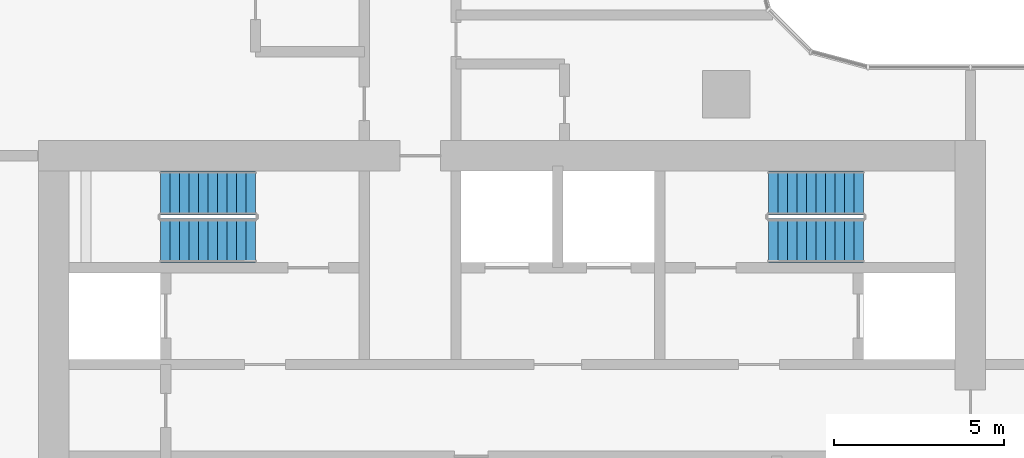
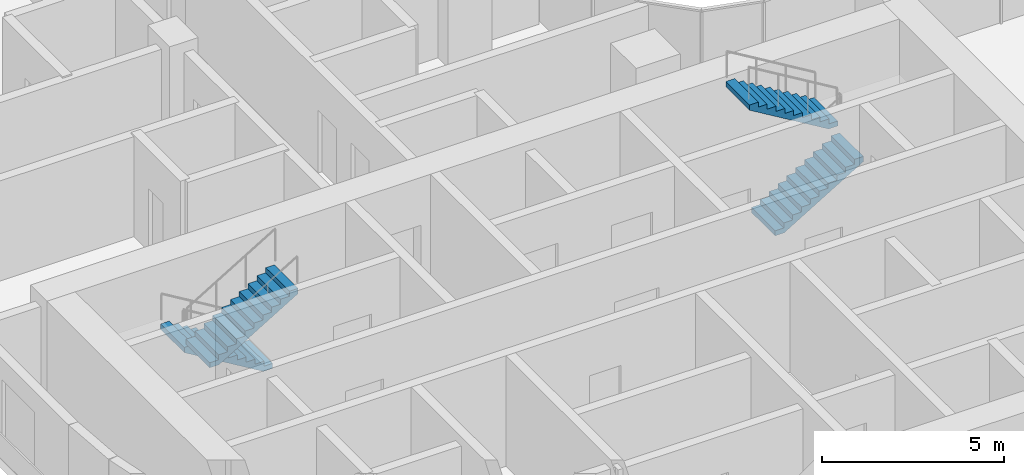
# One storey, part 25 of 34: 4 stair flights, 2 elements without a shape of their own.
"""IFC4 building model written with IfcOpenShell, lengths in metres."""

from ifc_helpers import new_model, si_unit, direction, frame, origin, place, context, subcontext, project, spatial, triangles, source, transform, mapped, material, type_object, element, aggregate, save


model = new_model("IFC4")

# Units and contexts
model_context = context("Model", 3, precision=1e-05, world=origin(), true_north=direction((0.0, 1.0)))
body_context = subcontext(model_context, "Body", "Model", "MODEL_VIEW")
ifc_project = project(units=[si_unit("LENGTHUNIT", "METRE"), si_unit("AREAUNIT", "SQUARE_METRE"), si_unit("VOLUMEUNIT", "CUBIC_METRE"), si_unit("PLANEANGLEUNIT", "RADIAN"), si_unit("MASSUNIT", "GRAM", prefix="KILO")], contexts=[model_context])

# Site, building, storey
site_placement = place(None, origin())
site = spatial("IfcSite", under=ifc_project, at=site_placement, CompositionType="ELEMENT")
building_placement = place(site_placement, origin())
building = spatial("IfcBuilding", under=site, at=building_placement, Name="Ogive Portal Towers", CompositionType="ELEMENT")
storey_placement = place(building_placement, frame((0.0, 0.0, 66.800048828125)))
storey = spatial("IfcBuildingStorey", under=building, at=storey_placement, Name="L15", CompositionType="ELEMENT", Elevation=66.800048828125)

# Stair, stair flights
ifc_material = material(Name="Concrete C40/50", Category="concrete")
stair_type = type_object("IfcStairType", Name="INT-STAIR", PredefinedType="HALF_TURN_STAIR", material=ifc_material)
stair_1_placement = place(storey_placement, origin())
stair_1 = element("IfcStair", 1, at=stair_1_placement, inside=storey, type_object=stair_type, Name="L15 Exit Stair ST-A1", PredefinedType="HALF_TURN_STAIR")
stair_flight_type = type_object("IfcStairFlightType", Name="INT-FLIGHT", PredefinedType="STRAIGHT", material=ifc_material)
shared_shape = source(origin(), body_context, "Body", "Tessellation", [
    triangles([(0.0, -0.650146484375, 0.0), (0.0, -0.376220703125, 0.0), (0.0, -0.192626953125, 0.0), (0.0, -0.081298828125, 0.0), (0.0, -0.024169921875, 0.0), (0.0, -0.003173828125, 0.0), (0.0, 0.0, 0.0), (0.0, 0.0029296875, 0.0), (0.0, 0.02392578125, 0.0), (0.0, 0.0810546875, 0.0), (0.0, 0.1923828125, 0.0), (0.0, 0.3759765625, 0.0), (0.0, 0.64990234375, 0.0), (0.0, -0.650146484375, 0.168212890625), (0.0, -0.376220703125, 0.168212890625), (0.0, -0.192626953125, 0.168212890625), (0.0, -0.081298828125, 0.168212890625), (0.0, -0.024169921875, 0.168212890625), (0.0, -0.003173828125, 0.168212890625), (0.0, 0.0, 0.168212890625), (0.0, 0.0029296875, 0.168212890625), (0.0, 0.02392578125, 0.168212890625), (0.0, 0.0810546875, 0.168212890625), (0.0, 0.1923828125, 0.168212890625), (0.0, 0.3759765625, 0.168212890625), (0.0, 0.64990234375, 0.168212890625), (0.280029296875, -0.650146484375, 0.168212890625), (0.280029296875, -0.376220703125, 0.168212890625), (0.280029296875, -0.192626953125, 0.168212890625), (0.280029296875, -0.081298828125, 0.168212890625), (0.280029296875, -0.024169921875, 0.168212890625), (0.280029296875, -0.003173828125, 0.168212890625), (0.280029296875, 0.0, 0.168212890625), (0.280029296875, 0.0029296875, 0.168212890625), (0.280029296875, 0.02392578125, 0.168212890625), (0.280029296875, 0.0810546875, 0.168212890625), (0.280029296875, 0.1923828125, 0.168212890625), (0.280029296875, 0.3759765625, 0.168212890625), (0.280029296875, 0.64990234375, 0.168212890625), (0.280029296875, -0.650146484375, 0.33642578125), (0.280029296875, -0.376220703125, 0.33642578125), (0.280029296875, -0.192626953125, 0.33642578125), (0.280029296875, -0.081298828125, 0.33642578125), (0.280029296875, -0.024169921875, 0.33642578125), (0.280029296875, -0.003173828125, 0.33642578125), (0.280029296875, 0.0, 0.33642578125), (0.280029296875, 0.0029296875, 0.33642578125), (0.280029296875, 0.02392578125, 0.33642578125), (0.280029296875, 0.0810546875, 0.33642578125), (0.280029296875, 0.1923828125, 0.33642578125), (0.280029296875, 0.3759765625, 0.33642578125), (0.280029296875, 0.64990234375, 0.33642578125), (0.56005859375, -0.650146484375, 0.33642578125), (0.56005859375, -0.376220703125, 0.33642578125), (0.56005859375, -0.192626953125, 0.33642578125), (0.56005859375, -0.081298828125, 0.33642578125), (0.56005859375, -0.024169921875, 0.33642578125), (0.56005859375, -0.003173828125, 0.33642578125), (0.56005859375, 0.0, 0.33642578125), (0.56005859375, 0.0029296875, 0.33642578125), (0.56005859375, 0.02392578125, 0.33642578125), (0.56005859375, 0.0810546875, 0.33642578125), (0.56005859375, 0.1923828125, 0.33642578125), (0.56005859375, 0.3759765625, 0.33642578125), (0.56005859375, 0.64990234375, 0.33642578125), (0.56005859375, -0.650146484375, 0.504638671875), (0.56005859375, -0.376220703125, 0.504638671875), (0.56005859375, -0.192626953125, 0.504638671875), (0.56005859375, -0.081298828125, 0.504638671875), (0.56005859375, -0.024169921875, 0.504638671875), (0.56005859375, -0.003173828125, 0.504638671875), (0.56005859375, 0.0, 0.504638671875), (0.56005859375, 0.0029296875, 0.504638671875), (0.56005859375, 0.02392578125, 0.504638671875), (0.56005859375, 0.0810546875, 0.504638671875), (0.56005859375, 0.1923828125, 0.504638671875), (0.56005859375, 0.3759765625, 0.504638671875), (0.56005859375, 0.64990234375, 0.504638671875), (0.840087890625, -0.650146484375, 0.504638671875), (0.840087890625, -0.376220703125, 0.504638671875), (0.840087890625, -0.192626953125, 0.504638671875), (0.840087890625, -0.081298828125, 0.504638671875), (0.840087890625, -0.024169921875, 0.504638671875), (0.840087890625, -0.003173828125, 0.504638671875), (0.840087890625, 0.0, 0.504638671875), (0.840087890625, 0.0029296875, 0.504638671875), (0.840087890625, 0.02392578125, 0.504638671875), (0.840087890625, 0.0810546875, 0.504638671875), (0.840087890625, 0.1923828125, 0.504638671875), (0.840087890625, 0.3759765625, 0.504638671875), (0.840087890625, 0.64990234375, 0.504638671875), (0.840087890625, -0.650146484375, 0.672607421875), (0.840087890625, -0.376220703125, 0.672607421875), (0.840087890625, -0.192626953125, 0.672607421875), (0.840087890625, -0.081298828125, 0.672607421875), (0.840087890625, -0.024169921875, 0.672607421875), (0.840087890625, -0.003173828125, 0.672607421875), (0.840087890625, 0.0, 0.672607421875), (0.840087890625, 0.0029296875, 0.672607421875), (0.840087890625, 0.02392578125, 0.672607421875), (0.840087890625, 0.0810546875, 0.672607421875), (0.840087890625, 0.1923828125, 0.672607421875), (0.840087890625, 0.3759765625, 0.672607421875), (0.840087890625, 0.64990234375, 0.672607421875), (1.1201171875, -0.650146484375, 0.672607421875), (1.1201171875, -0.376220703125, 0.672607421875), (1.1201171875, -0.192626953125, 0.672607421875), (1.1201171875, -0.081298828125, 0.672607421875), (1.1201171875, -0.024169921875, 0.672607421875), (1.1201171875, -0.003173828125, 0.672607421875), (1.1201171875, 0.0, 0.672607421875), (1.1201171875, 0.0029296875, 0.672607421875), (1.1201171875, 0.02392578125, 0.672607421875), (1.1201171875, 0.0810546875, 0.672607421875), (1.1201171875, 0.1923828125, 0.672607421875), (1.1201171875, 0.3759765625, 0.672607421875), (1.1201171875, 0.64990234375, 0.672607421875), (1.1201171875, -0.650146484375, 0.8408203125), (1.1201171875, -0.376220703125, 0.8408203125), (1.1201171875, -0.192626953125, 0.8408203125), (1.1201171875, -0.081298828125, 0.8408203125), (1.1201171875, -0.024169921875, 0.8408203125), (1.1201171875, -0.003173828125, 0.8408203125), (1.1201171875, 0.0, 0.8408203125), (1.1201171875, 0.0029296875, 0.8408203125), (1.1201171875, 0.02392578125, 0.8408203125), (1.1201171875, 0.0810546875, 0.8408203125), (1.1201171875, 0.1923828125, 0.8408203125), (1.1201171875, 0.3759765625, 0.8408203125), (1.1201171875, 0.64990234375, 0.8408203125), (1.39990234375, -0.650146484375, 0.8408203125), (1.39990234375, -0.376220703125, 0.8408203125), (1.39990234375, -0.192626953125, 0.8408203125), (1.39990234375, -0.081298828125, 0.8408203125), (1.39990234375, -0.024169921875, 0.8408203125), (1.39990234375, -0.003173828125, 0.8408203125), (1.39990234375, 0.0, 0.8408203125), (1.39990234375, 0.0029296875, 0.8408203125), (1.39990234375, 0.02392578125, 0.8408203125), (1.39990234375, 0.0810546875, 0.8408203125), (1.39990234375, 0.1923828125, 0.8408203125), (1.39990234375, 0.3759765625, 0.8408203125), (1.39990234375, 0.64990234375, 0.8408203125), (1.39990234375, -0.650146484375, 1.009033203125), (1.39990234375, -0.376220703125, 1.009033203125), (1.39990234375, -0.192626953125, 1.009033203125), (1.39990234375, -0.081298828125, 1.009033203125), (1.39990234375, -0.024169921875, 1.009033203125), (1.39990234375, -0.003173828125, 1.009033203125), (1.39990234375, 0.0, 1.009033203125), (1.39990234375, 0.0029296875, 1.009033203125), (1.39990234375, 0.02392578125, 1.009033203125), (1.39990234375, 0.0810546875, 1.009033203125), (1.39990234375, 0.1923828125, 1.009033203125), (1.39990234375, 0.3759765625, 1.009033203125), (1.39990234375, 0.64990234375, 1.009033203125), (1.679931640625, -0.650146484375, 1.009033203125), (1.679931640625, -0.376220703125, 1.009033203125), (1.679931640625, -0.192626953125, 1.009033203125), (1.679931640625, -0.081298828125, 1.009033203125), (1.679931640625, -0.024169921875, 1.009033203125), (1.679931640625, -0.003173828125, 1.009033203125), (1.679931640625, 0.0, 1.009033203125), (1.679931640625, 0.0029296875, 1.009033203125), (1.679931640625, 0.02392578125, 1.009033203125), (1.679931640625, 0.0810546875, 1.009033203125), (1.679931640625, 0.1923828125, 1.009033203125), (1.679931640625, 0.3759765625, 1.009033203125), (1.679931640625, 0.64990234375, 1.009033203125), (1.679931640625, -0.650146484375, 1.17724609375), (1.679931640625, -0.376220703125, 1.17724609375), (1.679931640625, -0.192626953125, 1.17724609375), (1.679931640625, -0.081298828125, 1.17724609375), (1.679931640625, -0.024169921875, 1.17724609375), (1.679931640625, -0.003173828125, 1.17724609375), (1.679931640625, 0.0, 1.17724609375), (1.679931640625, 0.0029296875, 1.17724609375), (1.679931640625, 0.02392578125, 1.17724609375), (1.679931640625, 0.0810546875, 1.17724609375), (1.679931640625, 0.1923828125, 1.17724609375), (1.679931640625, 0.3759765625, 1.17724609375), (1.679931640625, 0.64990234375, 1.17724609375), (1.9599609375, -0.650146484375, 1.17724609375), (1.9599609375, -0.376220703125, 1.17724609375), (1.9599609375, -0.192626953125, 1.17724609375), (1.9599609375, -0.081298828125, 1.17724609375), (1.9599609375, -0.024169921875, 1.17724609375), (1.9599609375, -0.003173828125, 1.17724609375), (1.9599609375, 0.0, 1.17724609375), (1.9599609375, 0.0029296875, 1.17724609375), (1.9599609375, 0.02392578125, 1.17724609375), (1.9599609375, 0.0810546875, 1.17724609375), (1.9599609375, 0.1923828125, 1.17724609375), (1.9599609375, 0.3759765625, 1.17724609375), (1.9599609375, 0.64990234375, 1.17724609375), (1.9599609375, -0.650146484375, 1.345458984375), (1.9599609375, -0.376220703125, 1.345458984375), (1.9599609375, -0.192626953125, 1.345458984375), (1.9599609375, -0.081298828125, 1.345458984375), (1.9599609375, -0.024169921875, 1.345458984375), (1.9599609375, -0.003173828125, 1.345458984375), (1.9599609375, 0.0, 1.345458984375), (1.9599609375, 0.0029296875, 1.345458984375), (1.9599609375, 0.02392578125, 1.345458984375), (1.9599609375, 0.0810546875, 1.345458984375), (1.9599609375, 0.1923828125, 1.345458984375), (1.9599609375, 0.3759765625, 1.345458984375), (1.9599609375, 0.64990234375, 1.345458984375), (2.239990234375, -0.650146484375, 1.345458984375), (2.239990234375, -0.376220703125, 1.345458984375), (2.239990234375, -0.192626953125, 1.345458984375), (2.239990234375, -0.081298828125, 1.345458984375), (2.239990234375, -0.024169921875, 1.345458984375), (2.239990234375, -0.003173828125, 1.345458984375), (2.239990234375, 0.0, 1.345458984375), (2.239990234375, 0.0029296875, 1.345458984375), (2.239990234375, 0.02392578125, 1.345458984375), (2.239990234375, 0.0810546875, 1.345458984375), (2.239990234375, 0.1923828125, 1.345458984375), (2.239990234375, 0.3759765625, 1.345458984375), (2.239990234375, 0.64990234375, 1.345458984375), (2.239990234375, -0.650146484375, 1.513671875), (2.239990234375, -0.376220703125, 1.513671875), (2.239990234375, -0.192626953125, 1.513671875), (2.239990234375, -0.081298828125, 1.513671875), (2.239990234375, -0.024169921875, 1.513671875), (2.239990234375, -0.003173828125, 1.513671875), (2.239990234375, 0.0, 1.513671875), (2.239990234375, 0.0029296875, 1.513671875), (2.239990234375, 0.02392578125, 1.513671875), (2.239990234375, 0.0810546875, 1.513671875), (2.239990234375, 0.1923828125, 1.513671875), (2.239990234375, 0.3759765625, 1.513671875), (2.239990234375, 0.64990234375, 1.513671875), (2.52001953125, -0.650146484375, 1.513671875), (2.52001953125, -0.376220703125, 1.513671875), (2.52001953125, -0.192626953125, 1.513671875), (2.52001953125, -0.081298828125, 1.513671875), (2.52001953125, -0.024169921875, 1.513671875), (2.52001953125, -0.003173828125, 1.513671875), (2.52001953125, 0.0, 1.513671875), (2.52001953125, 0.0029296875, 1.513671875), (2.52001953125, 0.02392578125, 1.513671875), (2.52001953125, 0.0810546875, 1.513671875), (2.52001953125, 0.1923828125, 1.513671875), (2.52001953125, 0.3759765625, 1.513671875), (2.52001953125, 0.64990234375, 1.513671875), (2.52001953125, -0.650146484375, 1.681884765625), (2.52001953125, -0.376220703125, 1.681884765625), (2.52001953125, -0.192626953125, 1.681884765625), (2.52001953125, -0.081298828125, 1.681884765625), (2.52001953125, -0.024169921875, 1.681884765625), (2.52001953125, -0.003173828125, 1.681884765625), (2.52001953125, 0.0, 1.681884765625), (2.52001953125, 0.0029296875, 1.681884765625), (2.52001953125, 0.02392578125, 1.681884765625), (2.52001953125, 0.0810546875, 1.681884765625), (2.52001953125, 0.1923828125, 1.681884765625), (2.52001953125, 0.3759765625, 1.681884765625), (2.52001953125, 0.64990234375, 1.681884765625), (2.800048828125, -0.650146484375, 1.681884765625), (2.800048828125, -0.376220703125, 1.681884765625), (2.800048828125, -0.192626953125, 1.681884765625), (2.800048828125, -0.081298828125, 1.681884765625), (2.800048828125, -0.024169921875, 1.681884765625), (2.800048828125, -0.003173828125, 1.681884765625), (2.800048828125, 0.0, 1.681884765625), (2.800048828125, 0.0029296875, 1.681884765625), (2.800048828125, 0.02392578125, 1.681884765625), (2.800048828125, 0.0810546875, 1.681884765625), (2.800048828125, 0.1923828125, 1.681884765625), (2.800048828125, 0.3759765625, 1.681884765625), (2.800048828125, 0.64990234375, 1.681884765625), (2.800048828125, -0.650146484375, 1.5068359375), (2.800048828125, -0.376220703125, 1.5068359375), (2.800048828125, -0.192626953125, 1.5068359375), (2.800048828125, -0.081298828125, 1.5068359375), (2.800048828125, -0.024169921875, 1.5068359375), (2.800048828125, -0.003173828125, 1.5068359375), (2.800048828125, 0.0, 1.5068359375), (2.800048828125, 0.0029296875, 1.5068359375), (2.800048828125, 0.02392578125, 1.5068359375), (2.800048828125, 0.0810546875, 1.5068359375), (2.800048828125, 0.1923828125, 1.5068359375), (2.800048828125, 0.3759765625, 1.5068359375), (2.800048828125, 0.64990234375, 1.5068359375), (0.291015625, -0.650146484375, 0.0), (0.291015625, -0.376220703125, 0.0), (0.291015625, -0.192626953125, 0.0), (0.291015625, -0.081298828125, 0.0), (0.291015625, -0.024169921875, 0.0), (0.291015625, -0.003173828125, 0.0), (0.291015625, 0.0, 0.0), (0.291015625, 0.0029296875, 0.0), (0.291015625, 0.02392578125, 0.0), (0.291015625, 0.0810546875, 0.0), (0.291015625, 0.1923828125, 0.0), (0.291015625, 0.3759765625, 0.0), (0.291015625, 0.64990234375, 0.0)], [[1, 14, 15], [1, 15, 2], [2, 15, 16], [2, 16, 3], [3, 16, 17], [3, 17, 4], [4, 17, 18], [4, 18, 5], [5, 18, 19], [5, 19, 6], [6, 19, 20], [6, 20, 7], [7, 20, 21], [7, 21, 8], [8, 21, 22], [8, 22, 9], [9, 22, 23], [9, 23, 10], [10, 23, 24], [10, 24, 11], [11, 24, 25], [11, 25, 12], [12, 25, 26], [12, 26, 13], [14, 27, 28], [14, 28, 15], [15, 28, 29], [15, 29, 16], [16, 29, 30], [16, 30, 17], [17, 30, 31], [17, 31, 18], [18, 31, 32], [18, 32, 19], [19, 32, 33], [19, 33, 20], [20, 33, 34], [20, 34, 21], [21, 34, 35], [21, 35, 22], [22, 35, 36], [22, 36, 23], [23, 36, 37], [23, 37, 24], [24, 37, 38], [24, 38, 25], [25, 38, 39], [25, 39, 26], [27, 40, 41], [27, 41, 28], [28, 41, 42], [28, 42, 29], [29, 42, 43], [29, 43, 30], [30, 43, 44], [30, 44, 31], [31, 44, 45], [31, 45, 32], [32, 45, 46], [32, 46, 33], [33, 46, 47], [33, 47, 34], [34, 47, 48], [34, 48, 35], [35, 48, 49], [35, 49, 36], [36, 49, 50], [36, 50, 37], [37, 50, 51], [37, 51, 38], [38, 51, 52], [38, 52, 39], [40, 53, 54], [40, 54, 41], [41, 54, 55], [41, 55, 42], [42, 55, 56], [42, 56, 43], [43, 56, 57], [43, 57, 44], [44, 57, 58], [44, 58, 45], [45, 58, 59], [45, 59, 46], [46, 59, 60], [46, 60, 47], [47, 60, 61], [47, 61, 48], [48, 61, 62], [48, 62, 49], [49, 62, 63], [49, 63, 50], [50, 63, 64], [50, 64, 51], [51, 64, 65], [51, 65, 52], [53, 66, 67], [53, 67, 54], [54, 67, 68], [54, 68, 55], [55, 68, 69], [55, 69, 56], [56, 69, 70], [56, 70, 57], [57, 70, 71], [57, 71, 58], [58, 71, 72], [58, 72, 59], [59, 72, 73], [59, 73, 60], [60, 73, 74], [60, 74, 61], [61, 74, 75], [61, 75, 62], [62, 75, 76], [62, 76, 63], [63, 76, 77], [63, 77, 64], [64, 77, 78], [64, 78, 65], [66, 79, 80], [66, 80, 67], [67, 80, 81], [67, 81, 68], [68, 81, 82], [68, 82, 69], [69, 82, 83], [69, 83, 70], [70, 83, 84], [70, 84, 71], [71, 84, 85], [71, 85, 72], [72, 85, 86], [72, 86, 73], [73, 86, 87], [73, 87, 74], [74, 87, 88], [74, 88, 75], [75, 88, 89], [75, 89, 76], [76, 89, 90], [76, 90, 77], [77, 90, 91], [77, 91, 78], [79, 92, 93], [79, 93, 80], [80, 93, 94], [80, 94, 81], [81, 94, 95], [81, 95, 82], [82, 95, 96], [82, 96, 83], [83, 96, 97], [83, 97, 84], [84, 97, 98], [84, 98, 85], [85, 98, 99], [85, 99, 86], [86, 99, 100], [86, 100, 87], [87, 100, 101], [87, 101, 88], [88, 101, 102], [88, 102, 89], [89, 102, 103], [89, 103, 90], [90, 103, 104], [90, 104, 91], [92, 105, 106], [92, 106, 93], [93, 106, 107], [93, 107, 94], [94, 107, 108], [94, 108, 95], [95, 108, 109], [95, 109, 96], [96, 109, 110], [96, 110, 97], [97, 110, 111], [97, 111, 98], [98, 111, 112], [98, 112, 99], [99, 112, 113], [99, 113, 100], [100, 113, 114], [100, 114, 101], [101, 114, 115], [101, 115, 102], [102, 115, 116], [102, 116, 103], [103, 116, 117], [103, 117, 104], [105, 118, 119], [105, 119, 106], [106, 119, 120], [106, 120, 107], [107, 120, 121], [107, 121, 108], [108, 121, 122], [108, 122, 109], [109, 122, 123], [109, 123, 110], [110, 123, 124], [110, 124, 111], [111, 124, 125], [111, 125, 112], [112, 125, 126], [112, 126, 113], [113, 126, 127], [113, 127, 114], [114, 127, 128], [114, 128, 115], [115, 128, 129], [115, 129, 116], [116, 129, 130], [116, 130, 117], [118, 131, 132], [118, 132, 119], [119, 132, 133], [119, 133, 120], [120, 133, 134], [120, 134, 121], [121, 134, 135], [121, 135, 122], [122, 135, 136], [122, 136, 123], [123, 136, 137], [123, 137, 124], [124, 137, 138], [124, 138, 125], [125, 138, 139], [125, 139, 126], [126, 139, 140], [126, 140, 127], [127, 140, 141], [127, 141, 128], [128, 141, 142], [128, 142, 129], [129, 142, 143], [129, 143, 130], [131, 144, 145], [131, 145, 132], [132, 145, 146], [132, 146, 133], [133, 146, 147], [133, 147, 134], [134, 147, 148], [134, 148, 135], [135, 148, 149], [135, 149, 136], [136, 149, 150], [136, 150, 137], [137, 150, 151], [137, 151, 138], [138, 151, 152], [138, 152, 139], [139, 152, 153], [139, 153, 140], [140, 153, 154], [140, 154, 141], [141, 154, 155], [141, 155, 142], [142, 155, 156], [142, 156, 143], [144, 157, 158], [144, 158, 145], [145, 158, 159], [145, 159, 146], [146, 159, 160], [146, 160, 147], [147, 160, 161], [147, 161, 148], [148, 161, 162], [148, 162, 149], [149, 162, 163], [149, 163, 150], [150, 163, 164], [150, 164, 151], [151, 164, 165], [151, 165, 152], [152, 165, 166], [152, 166, 153], [153, 166, 167], [153, 167, 154], [154, 167, 168], [154, 168, 155], [155, 168, 169], [155, 169, 156], [157, 170, 171], [157, 171, 158], [158, 171, 172], [158, 172, 159], [159, 172, 173], [159, 173, 160], [160, 173, 174], [160, 174, 161], [161, 174, 175], [161, 175, 162], [162, 175, 176], [162, 176, 163], [163, 176, 177], [163, 177, 164], [164, 177, 178], [164, 178, 165], [165, 178, 179], [165, 179, 166], [166, 179, 180], [166, 180, 167], [167, 180, 181], [167, 181, 168], [168, 181, 182], [168, 182, 169], [170, 183, 184], [170, 184, 171], [171, 184, 185], [171, 185, 172], [172, 185, 186], [172, 186, 173], [173, 186, 187], [173, 187, 174], [174, 187, 188], [174, 188, 175], [175, 188, 189], [175, 189, 176], [176, 189, 190], [176, 190, 177], [177, 190, 191], [177, 191, 178], [178, 191, 192], [178, 192, 179], [179, 192, 193], [179, 193, 180], [180, 193, 194], [180, 194, 181], [181, 194, 195], [181, 195, 182], [183, 196, 197], [183, 197, 184], [184, 197, 198], [184, 198, 185], [185, 198, 199], [185, 199, 186], [186, 199, 200], [186, 200, 187], [187, 200, 201], [187, 201, 188], [188, 201, 202], [188, 202, 189], [189, 202, 203], [189, 203, 190], [190, 203, 204], [190, 204, 191], [191, 204, 205], [191, 205, 192], [192, 205, 206], [192, 206, 193], [193, 206, 207], [193, 207, 194], [194, 207, 208], [194, 208, 195], [196, 209, 210], [196, 210, 197], [197, 210, 211], [197, 211, 198], [198, 211, 212], [198, 212, 199], [199, 212, 213], [199, 213, 200], [200, 213, 214], [200, 214, 201], [201, 214, 215], [201, 215, 202], [202, 215, 216], [202, 216, 203], [203, 216, 217], [203, 217, 204], [204, 217, 218], [204, 218, 205], [205, 218, 219], [205, 219, 206], [206, 219, 220], [206, 220, 207], [207, 220, 221], [207, 221, 208], [209, 222, 223], [209, 223, 210], [210, 223, 224], [210, 224, 211], [211, 224, 225], [211, 225, 212], [212, 225, 226], [212, 226, 213], [213, 226, 227], [213, 227, 214], [214, 227, 228], [214, 228, 215], [215, 228, 229], [215, 229, 216], [216, 229, 230], [216, 230, 217], [217, 230, 231], [217, 231, 218], [218, 231, 232], [218, 232, 219], [219, 232, 233], [219, 233, 220], [220, 233, 234], [220, 234, 221], [222, 235, 236], [222, 236, 223], [223, 236, 237], [223, 237, 224], [224, 237, 238], [224, 238, 225], [225, 238, 239], [225, 239, 226], [226, 239, 240], [226, 240, 227], [227, 240, 241], [227, 241, 228], [228, 241, 242], [228, 242, 229], [229, 242, 243], [229, 243, 230], [230, 243, 244], [230, 244, 231], [231, 244, 245], [231, 245, 232], [232, 245, 246], [232, 246, 233], [233, 246, 247], [233, 247, 234], [235, 248, 249], [235, 249, 236], [236, 249, 250], [236, 250, 237], [237, 250, 251], [237, 251, 238], [238, 251, 252], [238, 252, 239], [239, 252, 253], [239, 253, 240], [240, 253, 254], [240, 254, 241], [241, 254, 255], [241, 255, 242], [242, 255, 256], [242, 256, 243], [243, 256, 257], [243, 257, 244], [244, 257, 258], [244, 258, 245], [245, 258, 259], [245, 259, 246], [246, 259, 260], [246, 260, 247], [248, 261, 262], [248, 262, 249], [249, 262, 263], [249, 263, 250], [250, 263, 264], [250, 264, 251], [251, 264, 265], [251, 265, 252], [252, 265, 266], [252, 266, 253], [253, 266, 267], [253, 267, 254], [254, 267, 268], [254, 268, 255], [255, 268, 269], [255, 269, 256], [256, 269, 270], [256, 270, 257], [257, 270, 271], [257, 271, 258], [258, 271, 272], [258, 272, 259], [259, 272, 273], [259, 273, 260], [261, 274, 275], [261, 275, 262], [262, 275, 276], [262, 276, 263], [263, 276, 277], [263, 277, 264], [264, 277, 278], [264, 278, 265], [265, 278, 279], [265, 279, 266], [266, 279, 280], [266, 280, 267], [267, 280, 281], [267, 281, 268], [268, 281, 282], [268, 282, 269], [269, 282, 283], [269, 283, 270], [270, 283, 284], [270, 284, 271], [271, 284, 285], [271, 285, 272], [272, 285, 286], [272, 286, 273], [274, 287, 288], [274, 288, 275], [275, 288, 289], [275, 289, 276], [276, 289, 290], [276, 290, 277], [277, 290, 291], [277, 291, 278], [278, 291, 292], [278, 292, 279], [279, 292, 293], [279, 293, 280], [280, 293, 294], [280, 294, 281], [281, 294, 295], [281, 295, 282], [282, 295, 296], [282, 296, 283], [283, 296, 297], [283, 297, 284], [284, 297, 298], [284, 298, 285], [285, 298, 299], [285, 299, 286], [287, 1, 2], [287, 2, 288], [288, 2, 3], [288, 3, 289], [289, 3, 4], [289, 4, 290], [290, 4, 5], [290, 5, 291], [291, 5, 6], [291, 6, 292], [292, 6, 7], [292, 7, 293], [293, 7, 8], [293, 8, 294], [294, 8, 9], [294, 9, 295], [295, 9, 10], [295, 10, 296], [296, 10, 11], [296, 11, 297], [297, 11, 12], [297, 12, 298], [298, 12, 13], [298, 13, 299], [1, 287, 274], [13, 286, 299], [274, 261, 248], [286, 260, 273], [274, 248, 235], [286, 247, 260], [274, 235, 222], [286, 234, 247], [274, 222, 209], [286, 221, 234], [209, 196, 183], [221, 195, 208], [274, 209, 183], [286, 195, 221], [183, 170, 157], [195, 169, 182], [274, 183, 157], [286, 169, 195], [157, 144, 131], [169, 143, 156], [274, 157, 131], [286, 143, 169], [131, 118, 105], [143, 117, 130], [274, 131, 105], [286, 117, 143], [1, 274, 105], [13, 117, 286], [105, 92, 79], [117, 91, 104], [79, 66, 53], [91, 65, 78], [105, 79, 53], [117, 65, 91], [53, 40, 27], [65, 39, 52], [105, 53, 27], [117, 39, 65], [1, 105, 27], [13, 39, 117], [27, 14, 1], [39, 13, 26]], closed=True),
])
stair_flight_1_placement = place(storey_placement, frame((37.449951171875, 38.39990234375, 0.0), z_axis=(0.0, 0.0, 1.0), x_axis=(-1.0, 0.0, 0.0)))
stair_flight_1 = element("IfcStairFlight", 2, at=stair_flight_1_placement, type_object=stair_flight_type, Name="ST-A1 flight 1", NumberOfRisers=11, NumberOfTreads=10, PredefinedType="STRAIGHT", RiserHeight=0.168181818, TreadLength=0.28, context=body_context, shape_type="MappedRepresentation", body=[
    mapped(shared_shape, transform((0.0, 0.0, 0.0), scale=1.0)),
])
stair_flight_2_placement = place(storey_placement, frame((34.64990234375, 37.0, 1.849853515625), z_axis=(0.0, 0.0, 1.0), x_axis=(1.0, 0.0, 0.0)))
stair_flight_2 = element("IfcStairFlight", 3, at=stair_flight_2_placement, type_object=stair_flight_type, Name="ST-A1 flight 2", NumberOfRisers=11, NumberOfTreads=10, PredefinedType="STRAIGHT", RiserHeight=0.168181818, TreadLength=0.28, context=body_context, shape_type="MappedRepresentation", body=[
    mapped(shared_shape, transform((0.0, 0.0, 0.0), scale=1.0)),
])
aggregate(stair_1, [stair_flight_1, stair_flight_2])

stair_2_placement = place(storey_placement, origin())
stair_2 = element("IfcStair", 4, at=stair_2_placement, inside=storey, type_object=stair_type, Name="L15 Exit Stair ST-A2", PredefinedType="HALF_TURN_STAIR")
stair_flight_3_placement = place(storey_placement, frame((52.550048828125, 37.0, 0.0), z_axis=(0.0, 0.0, 1.0), x_axis=(1.0, 0.0, 0.0)))
stair_flight_3 = element("IfcStairFlight", 5, at=stair_flight_3_placement, type_object=stair_flight_type, Name="ST-A2 flight 1", NumberOfRisers=11, NumberOfTreads=10, PredefinedType="STRAIGHT", RiserHeight=0.168181818, TreadLength=0.28, context=body_context, shape_type="MappedRepresentation", body=[
    mapped(shared_shape, transform((0.0, 0.0, 0.0), scale=1.0)),
])
stair_flight_4_placement = place(storey_placement, frame((55.35009765625, 38.39990234375, 1.849853515625), z_axis=(0.0, 0.0, 1.0), x_axis=(-1.0, 0.0, 0.0)))
stair_flight_4 = element("IfcStairFlight", 6, at=stair_flight_4_placement, type_object=stair_flight_type, Name="ST-A2 flight 2", NumberOfRisers=11, NumberOfTreads=10, PredefinedType="STRAIGHT", RiserHeight=0.168181818, TreadLength=0.28, context=body_context, shape_type="MappedRepresentation", body=[
    mapped(shared_shape, transform((0.0, 0.0, 0.0), scale=1.0)),
])
aggregate(stair_2, [stair_flight_3, stair_flight_4])

save(model, "model.ifc")
